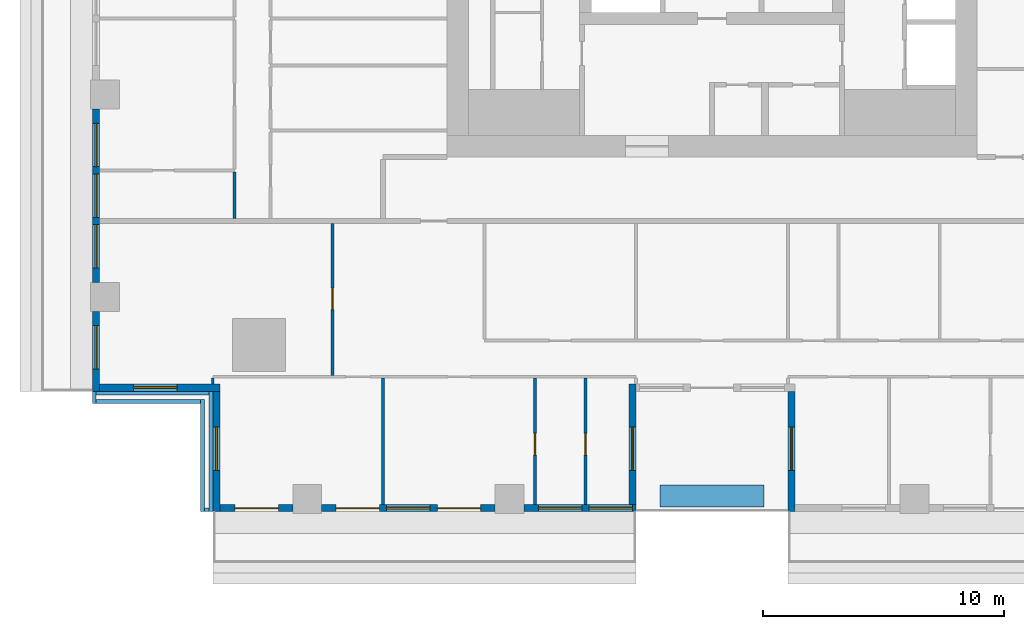
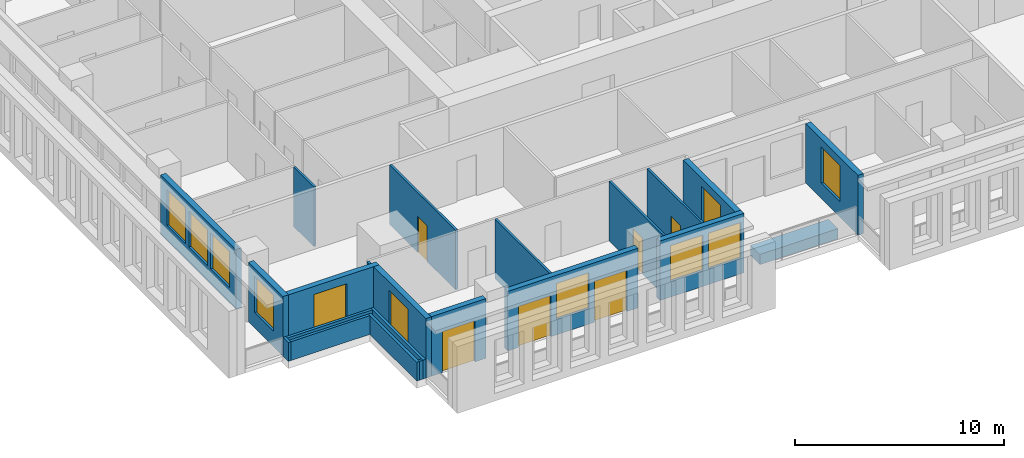
# One storey, part 2 of 16: 22 walls, 11 windows, 6 doors, 17 openings.
"""IFC4 building model written with IfcOpenShell, lengths in metres."""

from ifc_helpers import new_model, si_unit, direction, frame, frame_2d, origin, place, context, subcontext, project, spatial, rectangle, extrude, material, layer, layer_set, type_object, element, fill, save


model = new_model("IFC4")

# Units and contexts
model_context = context("Model", 3, precision=1e-05, world=origin(), true_north=direction((0.0, 1.0)))
body_context = subcontext(model_context, "Body", "Model", "MODEL_VIEW")
ifc_project = project(units=[si_unit("LENGTHUNIT", "METRE"), si_unit("AREAUNIT", "SQUARE_METRE"), si_unit("VOLUMEUNIT", "CUBIC_METRE"), si_unit("PLANEANGLEUNIT", "RADIAN"), si_unit("MASSUNIT", "GRAM", prefix="KILO")], contexts=[model_context])

# Site, building, storey
site_placement = place(None, origin())
site = spatial("IfcSite", under=ifc_project, at=site_placement, CompositionType="ELEMENT")
building_placement = place(site_placement, origin())
building = spatial("IfcBuilding", under=site, at=building_placement, Name="Khepri Terraces", CompositionType="ELEMENT")
storey_placement = place(building_placement, frame((0.0, 0.0, 240.60009765625)))
storey = spatial("IfcBuildingStorey", under=building, at=storey_placement, Name="L57", CompositionType="ELEMENT", Elevation=240.60009765625)

# Wall, openings, windows
ifc_material_1 = material(Name="Precast concrete C50/60 warm stone", Category="masonry")
ifc_layer_1 = layer(ifc_material_1, 0.300048828125, Name="Precast concrete C50/60 warm stone", Category="masonry")
ifc_layer_set_1 = layer_set([ifc_layer_1], Name="Precast concrete C50/60 warm stone")
wall_type_1 = type_object("IfcWallType", Name="WL-EXT-PRECAST-300", PredefinedType="STANDARD", material=ifc_layer_set_1)
wall_1_placement = place(storey_placement, frame((-25.570068359375, -9.0, 0.0), z_axis=(0.0, 0.0, 1.0), x_axis=(0.0, -1.0, 0.0)))
wall_1 = element("IfcWall", 1, at=wall_1_placement, inside=storey, type_object=wall_type_1, Name="External wall L57 W", PredefinedType="STANDARD", context=body_context, shape_type="SweptSolid", body=[
    extrude(rectangle(XDim=7.199951171875, YDim=0.300048828125, at=frame_2d((3.60009765625, 0.0))), origin(), (0.0, 0.0, 1.0), 3.47998046875),
])
opening_1_placement = place(wall_1_placement, frame((0.60009765625, 0.0, 0.89990234375)))
opening_1 = element("IfcOpeningElement", 2, at=opening_1_placement, cuts=wall_1, Name="Opening W1", PredefinedType="OPENING", context=body_context, shape_type="SweptSolid", body=[
    extrude(rectangle(XDim=1.800048828125, YDim=2.10009765625, at=frame_2d((0.89990234375, 1.050048828125))), frame((0.0, 0.16015625, 0.0), z_axis=(0.0, -1.0, 0.0), x_axis=(1.0, 0.0, 0.0)), (0.0, 0.0, 1.0), 0.320068359375),
])
opening_2_placement = place(wall_1_placement, frame((2.699951171875, 0.0, 0.89990234375)))
opening_2 = element("IfcOpeningElement", 3, at=opening_2_placement, cuts=wall_1, Name="Opening W1", PredefinedType="OPENING", context=body_context, shape_type="SweptSolid", body=[
    extrude(rectangle(XDim=1.800048828125, YDim=2.10009765625, at=frame_2d((0.89990234375, 1.050048828125))), frame((0.0, 0.16015625, 0.0), z_axis=(0.0, -1.0, 0.0), x_axis=(1.0, 0.0, 0.0)), (0.0, 0.0, 1.0), 0.320068359375),
])
opening_3_placement = place(wall_1_placement, frame((4.800048828125, 0.0, 0.89990234375)))
opening_3 = element("IfcOpeningElement", 4, at=opening_3_placement, cuts=wall_1, Name="Opening W1", PredefinedType="OPENING", context=body_context, shape_type="SweptSolid", body=[
    extrude(rectangle(XDim=1.800048828125, YDim=2.10009765625, at=frame_2d((0.89990234375, 1.050048828125))), frame((0.0, 0.16015625, 0.0), z_axis=(0.0, -1.0, 0.0), x_axis=(1.0, 0.0, 0.0)), (0.0, 0.0, 1.0), 0.320068359375),
])
ifc_material_2 = material(Name="Clear glass", Category="glass")
window_type = type_object("IfcWindowType", Name="WIN-RES-1800x2100", PartitioningType="SINGLE_PANEL", PredefinedType="WINDOW", material=ifc_material_2)
window_1_placement = place(opening_1_placement, origin())
window_1 = element("IfcWindow", 5, at=window_1_placement, inside=storey, type_object=window_type, Name="Window L57 W", OverallHeight=2.10009765625, OverallWidth=1.800048828125, PartitioningType="SINGLE_PANEL", PredefinedType="WINDOW", context=body_context, shape_type="SweptSolid", body=[
    extrude(rectangle(XDim=1.800048828125, YDim=2.10009765625, at=frame_2d((0.89990234375, 1.050048828125))), frame((0.0, 0.030029296875, 0.0), z_axis=(0.0, -1.0, 0.0), x_axis=(1.0, 0.0, 0.0)), (0.0, 0.0, 1.0), 0.06005859375),
])
fill(opening_1, window_1)
window_2_placement = place(opening_2_placement, origin())
window_2 = element("IfcWindow", 6, at=window_2_placement, inside=storey, type_object=window_type, Name="Window L57 W", OverallHeight=2.10009765625, OverallWidth=1.800048828125, PartitioningType="SINGLE_PANEL", PredefinedType="WINDOW", context=body_context, shape_type="SweptSolid", body=[
    extrude(rectangle(XDim=1.800048828125, YDim=2.10009765625, at=frame_2d((0.89990234375, 1.050048828125))), frame((0.0, 0.030029296875, 0.0), z_axis=(0.0, -1.0, 0.0), x_axis=(1.0, 0.0, 0.0)), (0.0, 0.0, 1.0), 0.06005859375),
])
fill(opening_2, window_2)
window_3_placement = place(opening_3_placement, origin())
window_3 = element("IfcWindow", 7, at=window_3_placement, inside=storey, type_object=window_type, Name="Window L57 W", OverallHeight=2.10009765625, OverallWidth=1.800048828125, PartitioningType="SINGLE_PANEL", PredefinedType="WINDOW", context=body_context, shape_type="SweptSolid", body=[
    extrude(rectangle(XDim=1.800048828125, YDim=2.10009765625, at=frame_2d((0.89990234375, 1.050048828125))), frame((0.0, 0.030029296875, 0.0), z_axis=(0.0, -1.0, 0.0), x_axis=(1.0, 0.0, 0.0)), (0.0, 0.0, 1.0), 0.06005859375),
])
fill(opening_3, window_3)

# Wall, opening, window
wall_2_placement = place(storey_placement, frame((-25.570068359375, -17.39990234375, 0.0), z_axis=(0.0, 0.0, 1.0), x_axis=(0.0, -1.0, 0.0)))
wall_2 = element("IfcWall", 8, at=wall_2_placement, inside=storey, type_object=wall_type_1, Name="External wall L57 W", PredefinedType="STANDARD", context=body_context, shape_type="SweptSolid", body=[
    extrude(rectangle(XDim=3.320068359375, YDim=0.300048828125, at=frame_2d((1.66015625, 0.0))), origin(), (0.0, 0.0, 1.0), 3.47998046875),
])
opening_4_placement = place(wall_2_placement, frame((0.60009765625, 0.0, 0.89990234375)))
opening_4 = element("IfcOpeningElement", 9, at=opening_4_placement, cuts=wall_2, Name="Opening W1", PredefinedType="OPENING", context=body_context, shape_type="SweptSolid", body=[
    extrude(rectangle(XDim=1.800048828125, YDim=2.10009765625, at=frame_2d((0.89990234375, 1.050048828125))), frame((0.0, 0.16015625, 0.0), z_axis=(0.0, -1.0, 0.0), x_axis=(1.0, 0.0, 0.0)), (0.0, 0.0, 1.0), 0.320068359375),
])
window_4_placement = place(opening_4_placement, origin())
window_4 = element("IfcWindow", 10, at=window_4_placement, inside=storey, type_object=window_type, Name="Window L57 W", OverallHeight=2.10009765625, OverallWidth=1.800048828125, PartitioningType="SINGLE_PANEL", PredefinedType="WINDOW", context=body_context, shape_type="SweptSolid", body=[
    extrude(rectangle(XDim=1.800048828125, YDim=2.10009765625, at=frame_2d((0.89990234375, 1.050048828125))), frame((0.0, 0.030029296875, 0.0), z_axis=(0.0, -1.0, 0.0), x_axis=(1.0, 0.0, 0.0)), (0.0, 0.0, 1.0), 0.06005859375),
])
fill(opening_4, window_4)

wall_3_placement = place(storey_placement, frame((-25.419921875, -20.570068359375, 0.0), z_axis=(0.0, 0.0, 1.0), x_axis=(1.0, 0.0, 0.0)))
wall_3 = element("IfcWall", 11, at=wall_3_placement, inside=storey, type_object=wall_type_1, Name="External wall L57 S", PredefinedType="STANDARD", context=body_context, shape_type="SweptSolid", body=[
    extrude(rectangle(XDim=5.0, YDim=0.300048828125, at=frame_2d((2.5, 0.0))), origin(), (0.0, 0.0, 1.0), 3.47998046875),
])
opening_5_placement = place(wall_3_placement, frame((1.419921875, 0.0, 0.89990234375)))
opening_5 = element("IfcOpeningElement", 12, at=opening_5_placement, cuts=wall_3, Name="Opening W1", PredefinedType="OPENING", context=body_context, shape_type="SweptSolid", body=[
    extrude(rectangle(XDim=1.800048828125, YDim=2.10009765625, at=frame_2d((0.89990234375, 1.050048828125))), frame((0.0, 0.16015625, 0.0), z_axis=(0.0, -1.0, 0.0), x_axis=(1.0, 0.0, 0.0)), (0.0, 0.0, 1.0), 0.320068359375),
])
window_5_placement = place(opening_5_placement, origin())
window_5 = element("IfcWindow", 13, at=window_5_placement, inside=storey, type_object=window_type, Name="Window L57 S", OverallHeight=2.10009765625, OverallWidth=1.800048828125, PartitioningType="SINGLE_PANEL", PredefinedType="WINDOW", context=body_context, shape_type="SweptSolid", body=[
    extrude(rectangle(XDim=1.800048828125, YDim=2.10009765625, at=frame_2d((0.89990234375, 1.050048828125))), frame((0.0, 0.030029296875, 0.0), z_axis=(0.0, -1.0, 0.0), x_axis=(1.0, 0.0, 0.0)), (0.0, 0.0, 1.0), 0.06005859375),
])
fill(opening_5, window_5)

wall_4_placement = place(storey_placement, frame((-20.570068359375, -20.719970703125, 0.0), z_axis=(0.0, 0.0, 1.0), x_axis=(0.0, -1.0, 0.0)))
wall_4 = element("IfcWall", 14, at=wall_4_placement, inside=storey, type_object=wall_type_1, Name="External wall L57 W", PredefinedType="STANDARD", context=body_context, shape_type="SweptSolid", body=[
    extrude(rectangle(XDim=5.0, YDim=0.300048828125, at=frame_2d((2.5, 0.0))), origin(), (0.0, 0.0, 1.0), 3.47998046875),
])
opening_6_placement = place(wall_4_placement, frame((1.47998046875, 0.0, 0.89990234375)))
opening_6 = element("IfcOpeningElement", 15, at=opening_6_placement, cuts=wall_4, Name="Opening W1", PredefinedType="OPENING", context=body_context, shape_type="SweptSolid", body=[
    extrude(rectangle(XDim=1.800048828125, YDim=2.10009765625, at=frame_2d((0.89990234375, 1.050048828125))), frame((0.0, 0.16015625, 0.0), z_axis=(0.0, -1.0, 0.0), x_axis=(1.0, 0.0, 0.0)), (0.0, 0.0, 1.0), 0.320068359375),
])
window_6_placement = place(opening_6_placement, origin())
window_6 = element("IfcWindow", 16, at=window_6_placement, inside=storey, type_object=window_type, Name="Window L57 W", OverallHeight=2.10009765625, OverallWidth=1.800048828125, PartitioningType="SINGLE_PANEL", PredefinedType="WINDOW", context=body_context, shape_type="SweptSolid", body=[
    extrude(rectangle(XDim=1.800048828125, YDim=2.10009765625, at=frame_2d((0.89990234375, 1.050048828125))), frame((0.0, 0.030029296875, 0.0), z_axis=(0.0, -1.0, 0.0), x_axis=(1.0, 0.0, 0.0)), (0.0, 0.0, 1.0), 0.06005859375),
])
fill(opening_6, window_6)

# Wall, opening, door
wall_5_placement = place(storey_placement, frame((-20.419921875, -25.570068359375, 0.0), z_axis=(0.0, 0.0, 1.0), x_axis=(1.0, 0.0, 0.0)))
wall_5 = element("IfcWall", 17, at=wall_5_placement, inside=storey, type_object=wall_type_1, Name="External wall L57 S", PredefinedType="STANDARD", context=body_context, shape_type="SweptSolid", body=[
    extrude(rectangle(XDim=3.02001953125, YDim=0.300048828125, at=frame_2d((1.510009765625, 0.0))), origin(), (0.0, 0.0, 1.0), 3.47998046875),
])
opening_7_placement = place(wall_5_placement, frame((0.6201171875, 0.0, 0.0)))
opening_7 = element("IfcOpeningElement", 18, at=opening_7_placement, cuts=wall_5, Name="Opening ED-L57-16", PredefinedType="OPENING", context=body_context, shape_type="SweptSolid", body=[
    extrude(rectangle(XDim=1.800048828125, YDim=2.39990234375, at=frame_2d((0.89990234375, 1.199951171875))), frame((0.0, 0.16015625, 0.0), z_axis=(0.0, -1.0, 0.0), x_axis=(1.0, 0.0, 0.0)), (0.0, 0.0, 1.0), 0.320068359375),
])
ifc_material_3 = material(Name="Anodised aluminium bronze glazed door", Category="aluminium")
door_type_1 = type_object("IfcDoorType", Name="DR-BAL-SLIDE-1800x2400", OperationType="NOTDEFINED", PredefinedType="DOOR", material=ifc_material_3)
door_1_placement = place(opening_7_placement, origin())
door_1 = element("IfcDoor", 19, at=door_1_placement, inside=storey, type_object=door_type_1, Name="Balcony door L57 S", OperationType="SLIDING_TO_RIGHT", OverallHeight=2.39990234375, OverallWidth=1.800048828125, PredefinedType="DOOR", context=body_context, shape_type="SweptSolid", body=[
    extrude(rectangle(XDim=1.800048828125, YDim=2.39990234375, at=frame_2d((0.89990234375, 1.199951171875))), frame((0.0, 0.02490234375, 0.0), z_axis=(0.0, -1.0, 0.0), x_axis=(1.0, 0.0, 0.0)), (0.0, 0.0, 1.0), 0.050048828125),
])
fill(opening_7, door_1)

# Wall, openings, doors, window
wall_6_placement = place(storey_placement, frame((-16.199951171875, -25.570068359375, 0.0), z_axis=(0.0, 0.0, 1.0), x_axis=(1.0, 0.0, 0.0)))
wall_6 = element("IfcWall", 20, at=wall_6_placement, inside=storey, type_object=wall_type_1, Name="External wall L57 S", PredefinedType="STANDARD", context=body_context, shape_type="SweptSolid", body=[
    extrude(rectangle(XDim=7.199951171875, YDim=0.300048828125, at=frame_2d((3.60009765625, 0.0))), origin(), (0.0, 0.0, 1.0), 3.47998046875),
])
opening_8_placement = place(wall_6_placement, frame((0.60009765625, 0.0, 0.0)))
opening_8 = element("IfcOpeningElement", 21, at=opening_8_placement, cuts=wall_6, Name="Opening ED-L57-17", PredefinedType="OPENING", context=body_context, shape_type="SweptSolid", body=[
    extrude(rectangle(XDim=1.800048828125, YDim=2.39990234375, at=frame_2d((0.89990234375, 1.199951171875))), frame((0.0, 0.16015625, 0.0), z_axis=(0.0, -1.0, 0.0), x_axis=(1.0, 0.0, 0.0)), (0.0, 0.0, 1.0), 0.320068359375),
])
opening_9_placement = place(wall_6_placement, frame((2.699951171875, 0.0, 0.89990234375)))
opening_9 = element("IfcOpeningElement", 22, at=opening_9_placement, cuts=wall_6, Name="Opening W1", PredefinedType="OPENING", context=body_context, shape_type="SweptSolid", body=[
    extrude(rectangle(XDim=1.800048828125, YDim=2.10009765625, at=frame_2d((0.89990234375, 1.050048828125))), frame((0.0, 0.16015625, 0.0), z_axis=(0.0, -1.0, 0.0), x_axis=(1.0, 0.0, 0.0)), (0.0, 0.0, 1.0), 0.320068359375),
])
opening_10_placement = place(wall_6_placement, frame((4.800048828125, 0.0, 0.0)))
opening_10 = element("IfcOpeningElement", 23, at=opening_10_placement, cuts=wall_6, Name="Opening ED-L57-18", PredefinedType="OPENING", context=body_context, shape_type="SweptSolid", body=[
    extrude(rectangle(XDim=1.800048828125, YDim=2.39990234375, at=frame_2d((0.89990234375, 1.199951171875))), frame((0.0, 0.16015625, 0.0), z_axis=(0.0, -1.0, 0.0), x_axis=(1.0, 0.0, 0.0)), (0.0, 0.0, 1.0), 0.320068359375),
])
door_2_placement = place(opening_8_placement, origin())
door_2 = element("IfcDoor", 24, at=door_2_placement, inside=storey, type_object=door_type_1, Name="Balcony door L57 S", OperationType="SLIDING_TO_LEFT", OverallHeight=2.39990234375, OverallWidth=1.800048828125, PredefinedType="DOOR", context=body_context, shape_type="SweptSolid", body=[
    extrude(rectangle(XDim=1.800048828125, YDim=2.39990234375, at=frame_2d((0.89990234375, 1.199951171875))), frame((0.0, 0.02490234375, 0.0), z_axis=(0.0, -1.0, 0.0), x_axis=(1.0, 0.0, 0.0)), (0.0, 0.0, 1.0), 0.050048828125),
])
fill(opening_8, door_2)
door_3_placement = place(opening_10_placement, origin())
door_3 = element("IfcDoor", 25, at=door_3_placement, inside=storey, type_object=door_type_1, Name="Balcony door L57 S", OperationType="SLIDING_TO_RIGHT", OverallHeight=2.39990234375, OverallWidth=1.800048828125, PredefinedType="DOOR", context=body_context, shape_type="SweptSolid", body=[
    extrude(rectangle(XDim=1.800048828125, YDim=2.39990234375, at=frame_2d((0.89990234375, 1.199951171875))), frame((0.0, 0.02490234375, 0.0), z_axis=(0.0, -1.0, 0.0), x_axis=(1.0, 0.0, 0.0)), (0.0, 0.0, 1.0), 0.050048828125),
])
fill(opening_10, door_3)
window_7_placement = place(opening_9_placement, origin())
window_7 = element("IfcWindow", 26, at=window_7_placement, inside=storey, type_object=window_type, Name="Window L57 S", OverallHeight=2.10009765625, OverallWidth=1.800048828125, PartitioningType="SINGLE_PANEL", PredefinedType="WINDOW", context=body_context, shape_type="SweptSolid", body=[
    extrude(rectangle(XDim=1.800048828125, YDim=2.10009765625, at=frame_2d((0.89990234375, 1.050048828125))), frame((0.0, 0.030029296875, 0.0), z_axis=(0.0, -1.0, 0.0), x_axis=(1.0, 0.0, 0.0)), (0.0, 0.0, 1.0), 0.06005859375),
])
fill(opening_9, window_7)

# Wall, openings, windows
wall_7_placement = place(storey_placement, frame((-7.800048828125, -25.570068359375, 0.0), z_axis=(0.0, 0.0, 1.0), x_axis=(1.0, 0.0, 0.0)))
wall_7 = element("IfcWall", 27, at=wall_7_placement, inside=storey, type_object=wall_type_1, Name="External wall L57 S", PredefinedType="STANDARD", context=body_context, shape_type="SweptSolid", body=[
    extrude(rectangle(XDim=4.650146484375, YDim=0.300048828125, at=frame_2d((2.3251953125, 0.0))), origin(), (0.0, 0.0, 1.0), 3.47998046875),
])
opening_11_placement = place(wall_7_placement, frame((0.60009765625, 0.0, 0.89990234375)))
opening_11 = element("IfcOpeningElement", 28, at=opening_11_placement, cuts=wall_7, Name="Opening W1", PredefinedType="OPENING", context=body_context, shape_type="SweptSolid", body=[
    extrude(rectangle(XDim=1.800048828125, YDim=2.10009765625, at=frame_2d((0.89990234375, 1.050048828125))), frame((0.0, 0.16015625, 0.0), z_axis=(0.0, -1.0, 0.0), x_axis=(1.0, 0.0, 0.0)), (0.0, 0.0, 1.0), 0.320068359375),
])
opening_12_placement = place(wall_7_placement, frame((2.699951171875, 0.0, 0.89990234375)))
opening_12 = element("IfcOpeningElement", 29, at=opening_12_placement, cuts=wall_7, Name="Opening W1", PredefinedType="OPENING", context=body_context, shape_type="SweptSolid", body=[
    extrude(rectangle(XDim=1.800048828125, YDim=2.10009765625, at=frame_2d((0.89990234375, 1.050048828125))), frame((0.0, 0.16015625, 0.0), z_axis=(0.0, -1.0, 0.0), x_axis=(1.0, 0.0, 0.0)), (0.0, 0.0, 1.0), 0.320068359375),
])
window_8_placement = place(opening_11_placement, origin())
window_8 = element("IfcWindow", 30, at=window_8_placement, inside=storey, type_object=window_type, Name="Window L57 S", OverallHeight=2.10009765625, OverallWidth=1.800048828125, PartitioningType="SINGLE_PANEL", PredefinedType="WINDOW", context=body_context, shape_type="SweptSolid", body=[
    extrude(rectangle(XDim=1.800048828125, YDim=2.10009765625, at=frame_2d((0.89990234375, 1.050048828125))), frame((0.0, 0.030029296875, 0.0), z_axis=(0.0, -1.0, 0.0), x_axis=(1.0, 0.0, 0.0)), (0.0, 0.0, 1.0), 0.06005859375),
])
fill(opening_11, window_8)
window_9_placement = place(opening_12_placement, origin())
window_9 = element("IfcWindow", 31, at=window_9_placement, inside=storey, type_object=window_type, Name="Window L57 S", OverallHeight=2.10009765625, OverallWidth=1.800048828125, PartitioningType="SINGLE_PANEL", PredefinedType="WINDOW", context=body_context, shape_type="SweptSolid", body=[
    extrude(rectangle(XDim=1.800048828125, YDim=2.10009765625, at=frame_2d((0.89990234375, 1.050048828125))), frame((0.0, 0.030029296875, 0.0), z_axis=(0.0, -1.0, 0.0), x_axis=(1.0, 0.0, 0.0)), (0.0, 0.0, 1.0), 0.06005859375),
])
fill(opening_12, window_9)

# Wall, opening, window
wall_8_placement = place(storey_placement, frame((-3.300048828125, -25.419921875, 0.0), z_axis=(0.0, 0.0, 1.0), x_axis=(0.0, 1.0, 0.0)))
wall_8 = element("IfcWall", 32, at=wall_8_placement, inside=storey, type_object=wall_type_1, Name="External wall L57 E", PredefinedType="STANDARD", context=body_context, shape_type="SweptSolid", body=[
    extrude(rectangle(XDim=5.0, YDim=0.300048828125, at=frame_2d((2.5, 0.0))), origin(), (0.0, 0.0, 1.0), 3.47998046875),
])
opening_13_placement = place(wall_8_placement, frame((1.419921875, 0.0, 0.89990234375)))
opening_13 = element("IfcOpeningElement", 33, at=opening_13_placement, cuts=wall_8, Name="Opening W1", PredefinedType="OPENING", context=body_context, shape_type="SweptSolid", body=[
    extrude(rectangle(XDim=1.800048828125, YDim=2.10009765625, at=frame_2d((0.89990234375, 1.050048828125))), frame((0.0, 0.16015625, 0.0), z_axis=(0.0, -1.0, 0.0), x_axis=(1.0, 0.0, 0.0)), (0.0, 0.0, 1.0), 0.320068359375),
])
window_10_placement = place(opening_13_placement, origin())
window_10 = element("IfcWindow", 34, at=window_10_placement, inside=storey, type_object=window_type, Name="Window L57 E", OverallHeight=2.10009765625, OverallWidth=1.800048828125, PartitioningType="SINGLE_PANEL", PredefinedType="WINDOW", context=body_context, shape_type="SweptSolid", body=[
    extrude(rectangle(XDim=1.800048828125, YDim=2.10009765625, at=frame_2d((0.89990234375, 1.050048828125))), frame((0.0, 0.030029296875, 0.0), z_axis=(0.0, -1.0, 0.0), x_axis=(1.0, 0.0, 0.0)), (0.0, 0.0, 1.0), 0.06005859375),
])
fill(opening_13, window_10)

wall_9_placement = place(storey_placement, frame((3.300048828125, -20.719970703125, 0.0), z_axis=(0.0, 0.0, 1.0), x_axis=(0.0, -1.0, 0.0)))
wall_9 = element("IfcWall", 35, at=wall_9_placement, inside=storey, type_object=wall_type_1, Name="External wall L57 W", PredefinedType="STANDARD", context=body_context, shape_type="SweptSolid", body=[
    extrude(rectangle(XDim=5.0, YDim=0.300048828125, at=frame_2d((2.5, 0.0))), origin(), (0.0, 0.0, 1.0), 3.47998046875),
])
opening_14_placement = place(wall_9_placement, frame((1.47998046875, 0.0, 0.89990234375)))
opening_14 = element("IfcOpeningElement", 36, at=opening_14_placement, cuts=wall_9, Name="Opening W1", PredefinedType="OPENING", context=body_context, shape_type="SweptSolid", body=[
    extrude(rectangle(XDim=1.800048828125, YDim=2.10009765625, at=frame_2d((0.89990234375, 1.050048828125))), frame((0.0, 0.16015625, 0.0), z_axis=(0.0, -1.0, 0.0), x_axis=(1.0, 0.0, 0.0)), (0.0, 0.0, 1.0), 0.320068359375),
])
window_11_placement = place(opening_14_placement, origin())
window_11 = element("IfcWindow", 37, at=window_11_placement, inside=storey, type_object=window_type, Name="Window L57 W", OverallHeight=2.10009765625, OverallWidth=1.800048828125, PartitioningType="SINGLE_PANEL", PredefinedType="WINDOW", context=body_context, shape_type="SweptSolid", body=[
    extrude(rectangle(XDim=1.800048828125, YDim=2.10009765625, at=frame_2d((0.89990234375, 1.050048828125))), frame((0.0, 0.030029296875, 0.0), z_axis=(0.0, -1.0, 0.0), x_axis=(1.0, 0.0, 0.0)), (0.0, 0.0, 1.0), 0.06005859375),
])
fill(opening_14, window_11)

# Walls
ifc_layer_2 = layer(ifc_material_1, 0.14990234375, Name="Precast concrete C50/60 warm stone", Category="masonry")
ifc_layer_set_2 = layer_set([ifc_layer_2], Name="Precast concrete C50/60 warm stone")
wall_type_2 = type_object("IfcWallType", Name="WL-PARAPET-150", PredefinedType="PARAPET", material=ifc_layer_set_2)
wall_10_placement = place(storey_placement, frame((-25.64501953125, -21.219970703125, 0.0), z_axis=(0.0, 0.0, 1.0), x_axis=(0.0, 1.0, 0.0)))
element("IfcWall", 38, at=wall_10_placement, inside=storey, type_object=wall_type_2, Name="Ledge parapet L57", PredefinedType="PARAPET", context=body_context, shape_type="SweptSolid", body=[
    extrude(rectangle(XDim=0.5, YDim=0.14990234375, at=frame_2d((0.25, 0.0))), origin(), (0.0, 0.0, 1.0), 1.099853515625),
])
wall_11_placement = place(storey_placement, frame((-25.570068359375, -21.14501953125, 0.0), z_axis=(0.0, 0.0, 1.0), x_axis=(1.0, 0.0, 0.0)))
element("IfcWall", 39, at=wall_11_placement, inside=storey, type_object=wall_type_2, Name="Ledge parapet L57", PredefinedType="PARAPET", context=body_context, shape_type="SweptSolid", body=[
    extrude(rectangle(XDim=4.35009765625, YDim=0.14990234375, at=frame_2d((2.175048828125, 0.0))), origin(), (0.0, 0.0, 1.0), 1.099853515625),
])
wall_12_placement = place(storey_placement, frame((-25.570068359375, -20.794921875, 0.0), z_axis=(0.0, 0.0, 1.0), x_axis=(1.0, 0.0, 0.0)))
element("IfcWall", 40, at=wall_12_placement, inside=storey, type_object=wall_type_2, Name="Ledge parapet L57", PredefinedType="PARAPET", context=body_context, shape_type="SweptSolid", body=[
    extrude(rectangle(XDim=4.699951171875, YDim=0.14990234375, at=frame_2d((2.35009765625, 0.0))), origin(), (0.0, 0.0, 1.0), 1.099853515625),
])
wall_13_placement = place(storey_placement, frame((-21.14501953125, -25.719970703125, 0.0), z_axis=(0.0, 0.0, 1.0), x_axis=(0.0, 1.0, 0.0)))
element("IfcWall", 41, at=wall_13_placement, inside=storey, type_object=wall_type_2, Name="Ledge parapet L57", PredefinedType="PARAPET", context=body_context, shape_type="SweptSolid", body=[
    extrude(rectangle(XDim=4.64990234375, YDim=0.14990234375, at=frame_2d((2.324951171875, 0.0))), origin(), (0.0, 0.0, 1.0), 1.099853515625),
])
wall_14_placement = place(storey_placement, frame((-21.070068359375, -25.64501953125, 0.0), z_axis=(0.0, 0.0, 1.0), x_axis=(1.0, 0.0, 0.0)))
element("IfcWall", 42, at=wall_14_placement, inside=storey, type_object=wall_type_2, Name="Ledge parapet L57", PredefinedType="PARAPET", context=body_context, shape_type="SweptSolid", body=[
    extrude(rectangle(XDim=0.199951171875, YDim=0.14990234375, at=frame_2d((0.10009765625, 0.0))), origin(), (0.0, 0.0, 1.0), 1.099853515625),
])
wall_15_placement = place(storey_placement, frame((-20.794921875, -25.719970703125, 0.0), z_axis=(0.0, 0.0, 1.0), x_axis=(0.0, 1.0, 0.0)))
element("IfcWall", 43, at=wall_15_placement, inside=storey, type_object=wall_type_2, Name="Ledge parapet L57", PredefinedType="PARAPET", context=body_context, shape_type="SweptSolid", body=[
    extrude(rectangle(XDim=5.0, YDim=0.14990234375, at=frame_2d((2.5, 0.0))), origin(), (0.0, 0.0, 1.0), 1.099853515625),
])
ifc_material_4 = material(Name="Gypsum plasterboard partition")
ifc_layer_3 = layer(ifc_material_4, 0.1201171875, Name="Gypsum plasterboard partition")
ifc_layer_set_3 = layer_set([ifc_layer_3], Name="Gypsum plasterboard partition")
wall_type_3 = type_object("IfcWallType", Name="WL-PART-120", PredefinedType="PARTITIONING", material=ifc_layer_set_3)
wall_16_placement = place(storey_placement, frame((-13.64990234375, -25.419921875, 0.0), z_axis=(0.0, 0.0, 1.0), x_axis=(0.0, 1.0, 0.0)))
element("IfcWall", 44, at=wall_16_placement, inside=storey, type_object=wall_type_3, Name="Partition P-001 L57", PredefinedType="PARTITIONING", context=body_context, shape_type="SweptSolid", body=[
    extrude(rectangle(XDim=5.239990234375, YDim=0.1201171875, at=frame_2d((2.6201171875, 0.0))), origin(), (0.0, 0.0, 1.0), 3.47998046875),
])

# Wall, opening, door
wall_17_placement = place(storey_placement, frame((-7.35009765625, -25.419921875, 0.0), z_axis=(0.0, 0.0, 1.0), x_axis=(0.0, 1.0, 0.0)))
wall_17 = element("IfcWall", 45, at=wall_17_placement, inside=storey, type_object=wall_type_3, Name="Partition P-002 L57", PredefinedType="PARTITIONING", context=body_context, shape_type="SweptSolid", body=[
    extrude(rectangle(XDim=5.239990234375, YDim=0.1201171875, at=frame_2d((2.6201171875, 0.0))), origin(), (0.0, 0.0, 1.0), 3.47998046875),
])
opening_15_placement = place(wall_17_placement, frame((2.050048828125, 0.0, 0.0)))
opening_15 = element("IfcOpeningElement", 46, at=opening_15_placement, cuts=wall_17, Name="Opening D3", PredefinedType="OPENING", context=body_context, shape_type="SweptSolid", body=[
    extrude(rectangle(XDim=0.89990234375, YDim=2.10009765625, at=frame_2d((0.449951171875, 1.050048828125))), frame((0.0, 0.070068359375, 0.0), z_axis=(0.0, -1.0, 0.0), x_axis=(1.0, 0.0, 0.0)), (0.0, 0.0, 1.0), 0.14013671875),
])
ifc_material_5 = material(Name="Timber door leaf", Category="wood")
door_type_2 = type_object("IfcDoorType", Name="DR-INT-900", OperationType="NOTDEFINED", PredefinedType="DOOR", material=ifc_material_5)
door_4_placement = place(opening_15_placement, frame((0.89990234375, 0.0, 0.0), z_axis=(0.0, 0.0, 1.0), x_axis=(-1.0, 0.0, 0.0)))
door_4 = element("IfcDoor", 47, at=door_4_placement, inside=storey, type_object=door_type_2, Name="Door Dressing Room", OperationType="SINGLE_SWING_RIGHT", OverallHeight=2.10009765625, OverallWidth=0.89990234375, PredefinedType="DOOR", context=body_context, shape_type="SweptSolid", body=[
    extrude(rectangle(XDim=0.89990234375, YDim=2.10009765625, at=frame_2d((0.449951171875, 1.050048828125))), frame((0.0, 0.02490234375, 0.0), z_axis=(0.0, -1.0, 0.0), x_axis=(1.0, 0.0, 0.0)), (0.0, 0.0, 1.0), 0.050048828125),
])
fill(opening_15, door_4)

wall_18_placement = place(storey_placement, frame((-5.25, -25.419921875, 0.0), z_axis=(0.0, 0.0, 1.0), x_axis=(0.0, 1.0, 0.0)))
wall_18 = element("IfcWall", 48, at=wall_18_placement, inside=storey, type_object=wall_type_3, Name="Partition P-003 L57", PredefinedType="PARTITIONING", context=body_context, shape_type="SweptSolid", body=[
    extrude(rectangle(XDim=5.239990234375, YDim=0.1201171875, at=frame_2d((2.6201171875, 0.0))), origin(), (0.0, 0.0, 1.0), 3.47998046875),
])
opening_16_placement = place(wall_18_placement, frame((2.050048828125, 0.0, 0.0)))
opening_16 = element("IfcOpeningElement", 49, at=opening_16_placement, cuts=wall_18, Name="Opening D4", PredefinedType="OPENING", context=body_context, shape_type="SweptSolid", body=[
    extrude(rectangle(XDim=0.89990234375, YDim=2.10009765625, at=frame_2d((0.449951171875, 1.050048828125))), frame((0.0, 0.070068359375, 0.0), z_axis=(0.0, -1.0, 0.0), x_axis=(1.0, 0.0, 0.0)), (0.0, 0.0, 1.0), 0.14013671875),
])
ifc_material_6 = material(Name="Timber door leaf, moisture resistant", Category="wood")
door_type_3 = type_object("IfcDoorType", Name="DR-WET-900", OperationType="NOTDEFINED", PredefinedType="DOOR", material=ifc_material_6)
door_5_placement = place(opening_16_placement, frame((0.89990234375, 0.0, 0.0), z_axis=(0.0, 0.0, 1.0), x_axis=(-1.0, 0.0, 0.0)))
door_5 = element("IfcDoor", 50, at=door_5_placement, inside=storey, type_object=door_type_3, Name="Door Bathroom", OperationType="SINGLE_SWING_RIGHT", OverallHeight=2.10009765625, OverallWidth=0.89990234375, PredefinedType="DOOR", context=body_context, shape_type="SweptSolid", body=[
    extrude(rectangle(XDim=0.89990234375, YDim=2.10009765625, at=frame_2d((0.449951171875, 1.050048828125))), frame((0.0, 0.02490234375, 0.0), z_axis=(0.0, -1.0, 0.0), x_axis=(1.0, 0.0, 0.0)), (0.0, 0.0, 1.0), 0.050048828125),
])
fill(opening_16, door_5)

# Wall
wall_19_placement = place(storey_placement, frame((-20.718994140625, -20.4208984375, 0.0), z_axis=(0.0, 0.0, 1.0), x_axis=(0.0, 1.0, 0.0)))
element("IfcWall", 51, at=wall_19_placement, inside=storey, type_object=wall_type_3, Name="Partition P-007 L57", PredefinedType="PARTITIONING", context=body_context, shape_type="SweptSolid", body=[
    extrude(rectangle(XDim=0.240966796875, YDim=0.1201171875, at=frame_2d((0.12060546875, 0.0))), origin(), (0.0, 0.0, 1.0), 3.47998046875),
])

# Wall, opening, door
wall_20_placement = place(storey_placement, frame((-15.75, -20.06005859375, 0.0), z_axis=(0.0, 0.0, 1.0), x_axis=(0.0, 1.0, 0.0)))
wall_20 = element("IfcWall", 52, at=wall_20_placement, inside=storey, type_object=wall_type_3, Name="Partition P-013 L57", PredefinedType="PARTITIONING", context=body_context, shape_type="SweptSolid", body=[
    extrude(rectangle(XDim=6.31005859375, YDim=0.1201171875, at=frame_2d((3.155029296875, 0.0))), origin(), (0.0, 0.0, 1.0), 3.47998046875),
])
opening_17_placement = place(wall_20_placement, frame((2.72509765625, 0.0, 0.0)))
opening_17 = element("IfcOpeningElement", 53, at=opening_17_placement, cuts=wall_20, Name="Opening D3", PredefinedType="OPENING", context=body_context, shape_type="SweptSolid", body=[
    extrude(rectangle(XDim=0.89990234375, YDim=2.10009765625, at=frame_2d((0.449951171875, 1.050048828125))), frame((0.0, 0.070068359375, 0.0), z_axis=(0.0, -1.0, 0.0), x_axis=(1.0, 0.0, 0.0)), (0.0, 0.0, 1.0), 0.14013671875),
])
door_6_placement = place(opening_17_placement, origin())
door_6 = element("IfcDoor", 54, at=door_6_placement, inside=storey, type_object=door_type_2, Name="Door Home Cinema", OperationType="SINGLE_SWING_RIGHT", OverallHeight=2.10009765625, OverallWidth=0.89990234375, PredefinedType="DOOR", context=body_context, shape_type="SweptSolid", body=[
    extrude(rectangle(XDim=0.89990234375, YDim=2.10009765625, at=frame_2d((0.449951171875, 1.050048828125))), frame((0.0, 0.02490234375, 0.0), z_axis=(0.0, -1.0, 0.0), x_axis=(1.0, 0.0, 0.0)), (0.0, 0.0, 1.0), 0.050048828125),
])
fill(opening_17, door_6)

# Walls
wall_21_placement = place(storey_placement, frame((-19.820068359375, -13.550048828125, 0.0), z_axis=(0.0, 0.0, 1.0), x_axis=(0.0, 1.0, 0.0)))
element("IfcWall", 55, at=wall_21_placement, inside=storey, type_object=wall_type_3, Name="Partition P-023 L57", PredefinedType="PARTITIONING", context=body_context, shape_type="SweptSolid", body=[
    extrude(rectangle(XDim=1.93994140625, YDim=0.1201171875, at=frame_2d((0.969970703125, 0.0))), origin(), (0.0, 0.0, 1.0), 3.47998046875),
])
ifc_layer_4 = layer(ifc_material_1, 0.89990234375, Name="Precast concrete C50/60 warm stone", Category="masonry")
ifc_layer_set_4 = layer_set([ifc_layer_4], Name="Precast concrete C50/60 warm stone")
wall_type_4 = type_object("IfcWallType", Name="WL-PLANTER-900", PredefinedType="MOVABLE", material=ifc_layer_set_4)
wall_22_placement = place(storey_placement, frame((-2.14990234375, -25.070068359375, 0.0), z_axis=(0.0, 0.0, 1.0), x_axis=(1.0, 0.0, 0.0)))
element("IfcWall", 56, at=wall_22_placement, inside=storey, type_object=wall_type_4, Name="Planter L57", PredefinedType="MOVABLE", context=body_context, shape_type="SweptSolid", body=[
    extrude(rectangle(XDim=4.2998046875, YDim=0.89990234375, at=frame_2d((2.14990234375, 0.0))), origin(), (0.0, 0.0, 1.0), 0.599853515625),
])

save(model, "model.ifc")
